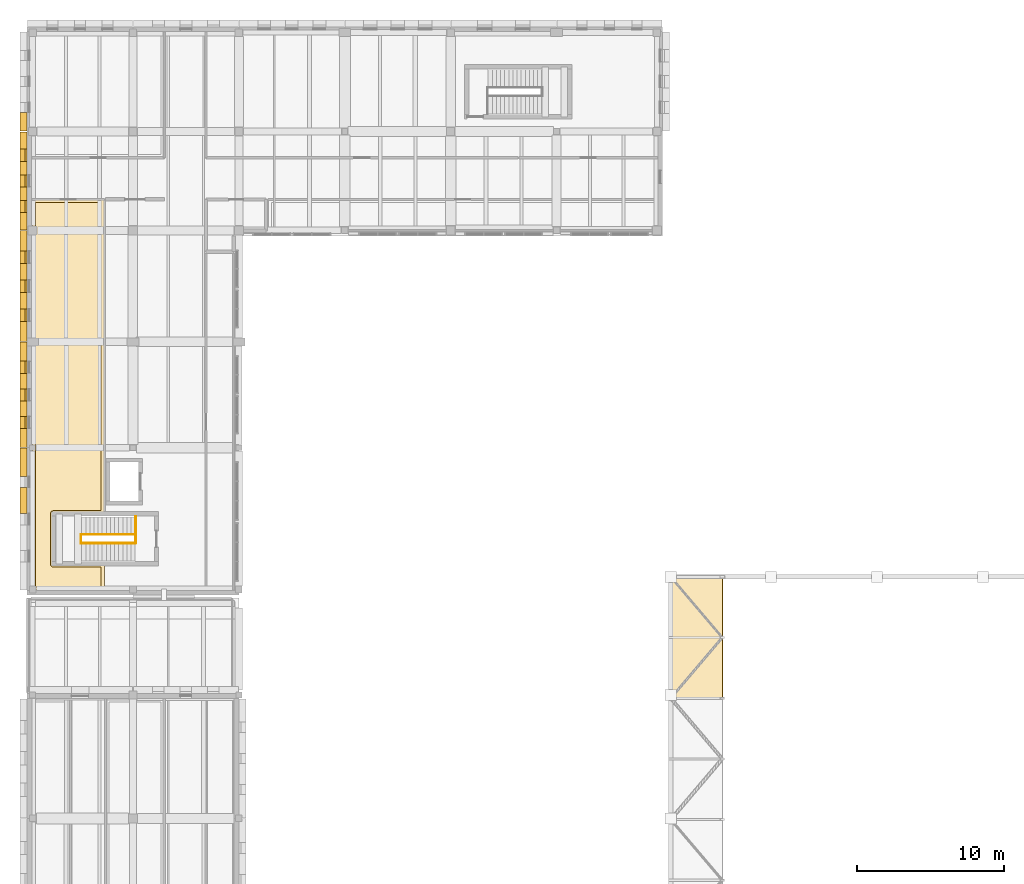
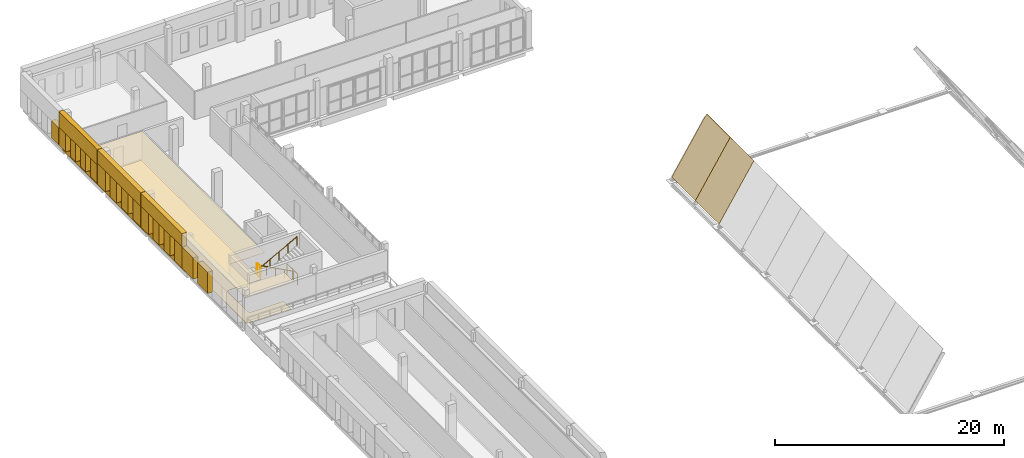
# One storey, part 52 of 56: 25 coverings, 4 railings.
"""IFC4 building model written with IfcOpenShell, lengths in metres."""

from ifc_helpers import new_model, si_unit, direction, frame, origin, origin_2d, place, context, subcontext, project, spatial, polyline, circle, outline, extrude, material, layer, layer_set, type_object, element, save


model = new_model("IFC4")

# Units and contexts
model_context = context("Model", 3, precision=1e-05, world=origin(), true_north=direction((0.0, 1.0)))
body_context = subcontext(model_context, "Body", "Model", "MODEL_VIEW")
ifc_project = project(units=[si_unit("LENGTHUNIT", "METRE"), si_unit("AREAUNIT", "SQUARE_METRE"), si_unit("VOLUMEUNIT", "CUBIC_METRE"), si_unit("PLANEANGLEUNIT", "RADIAN"), si_unit("MASSUNIT", "GRAM", prefix="KILO")], contexts=[model_context])

# Site, building, storey
site_placement = place(None, origin())
site = spatial("IfcSite", under=ifc_project, at=site_placement, CompositionType="ELEMENT")
building_placement = place(site_placement, origin())
building = spatial("IfcBuilding", under=site, at=building_placement, Name="Vardoun Plaza Health Centre", CompositionType="ELEMENT")
storey_placement = place(building_placement, frame((0.0, 0.0, 8.699951171875)))
storey = spatial("IfcBuildingStorey", under=building, at=storey_placement, Name="L02", CompositionType="ELEMENT", Elevation=8.699951171875)

# Coverings
ifc_material_1 = material(Name="Hygienic Acoustic Mineral-Fibre Ceiling", Category="concrete")
ifc_layer_1 = layer(ifc_material_1, 0.02490234375)
ifc_layer_set_1 = layer_set([ifc_layer_1], Name="Hygienic Acoustic Mineral-Fibre Ceiling")
covering_type_1 = type_object("IfcCoveringType", Name="CL-01", PredefinedType="CEILING", material=ifc_layer_set_1)
covering_1_placement = place(storey_placement, frame((0.0, 0.0, 2.89501953125)))
element("IfcCovering", 1, at=covering_1_placement, inside=storey, type_object=covering_type_1, Name="Women Health Consulting Room 22 Acoustic Ceiling", PredefinedType="CEILING", context=body_context, shape_type="SweptSolid", body=[
    extrude(outline(polyline([(4.860107421875, 103.570068359375), (9.75, 103.570068359375), (9.75, 82.2099609375), (6.300048828125, 82.2099609375), (6.299072265625, 82.2099609375), (6.298095703125, 82.209716796875), (6.297119140625, 82.209716796875), (6.296142578125, 82.209228515625), (6.29541015625, 82.208740234375), (6.29443359375, 82.208251953125), (6.293701171875, 82.207763671875), (6.29296875, 82.20703125), (6.292236328125, 82.206298828125), (6.291748046875, 82.20556640625), (6.291259765625, 82.20458984375), (6.290771484375, 82.203857421875), (6.290283203125, 82.202880859375), (6.290283203125, 82.201904296875), (6.2900390625, 82.200927734375), (6.2900390625, 82.199951171875), (6.2900390625, 78.800048828125), (6.2900390625, 78.799072265625), (6.290283203125, 78.798095703125), (6.290283203125, 78.797119140625), (6.290771484375, 78.796142578125), (6.291259765625, 78.79541015625), (6.291748046875, 78.79443359375), (6.292236328125, 78.793701171875), (6.29296875, 78.79296875), (6.293701171875, 78.792236328125), (6.29443359375, 78.791748046875), (6.29541015625, 78.791259765625), (6.296142578125, 78.790771484375), (6.297119140625, 78.790283203125), (6.298095703125, 78.790283203125), (6.299072265625, 78.7900390625), (6.300048828125, 78.7900390625), (9.75, 78.7900390625), (9.75, 77.0400390625), (4.860107421875, 77.0400390625), (4.860107421875, 103.570068359375)])), origin(), (0.0, 0.0, 1.0), 0.025146484375),
])
ifc_material_2 = material(Name="Pale Limestone Concrete C35/45", Category="masonry")
ifc_layer_2 = layer(ifc_material_2, 0.080078125)
ifc_layer_set_2 = layer_set([ifc_layer_2], Name="Pale Limestone Concrete C35/45")
covering_type_2 = type_object("IfcCoveringType", Name="CL-EXT1", PredefinedType="CLADDING", material=ifc_layer_set_2)
covering_2_placement = place(storey_placement, frame((0.0, 0.0, 0.550048828125)))
element("IfcCovering", 2, at=covering_2_placement, inside=storey, type_object=covering_type_2, Name="V3 L02 Deep-Punched Slot Concrete Reveal Pier 883", PredefinedType="CLADDING", context=body_context, shape_type="SweptSolid", body=[
    extrude(outline(polyline([(4.5, 82.237548828125), (4.5, 83.980712890625), (4.02001953125, 83.980712890625), (4.02001953125, 82.237548828125), (4.5, 82.237548828125)])), origin(), (0.0, 0.0, 1.0), 2.25),
])
covering_3_placement = place(storey_placement, frame((0.0, 0.0, 0.550048828125)))
element("IfcCovering", 3, at=covering_3_placement, inside=storey, type_object=covering_type_2, Name="V3 L02 Deep-Punched Slot Concrete Reveal Pier 884", PredefinedType="CLADDING", context=body_context, shape_type="SweptSolid", body=[
    extrude(outline(polyline([(4.5, 84.7607421875), (4.5, 86.679931640625), (4.02001953125, 86.679931640625), (4.02001953125, 84.7607421875), (4.5, 84.7607421875)])), origin(), (0.0, 0.0, 1.0), 2.25),
])
covering_4_placement = place(storey_placement, origin())
element("IfcCovering", 4, at=covering_4_placement, inside=storey, type_object=covering_type_2, Name="V3 L02 Pale Concrete Sill Band 885", PredefinedType="CLADDING", context=body_context, shape_type="SweptSolid", body=[
    extrude(outline(polyline([(4.5, 86.719970703125), (4.5, 93.8798828125), (4.360107421875, 93.8798828125), (4.360107421875, 86.719970703125), (4.5, 86.719970703125)])), origin(), (0.0, 0.0, 1.0), 0.550048828125),
])
covering_5_placement = place(storey_placement, frame((0.0, 0.0, 2.800048828125)))
element("IfcCovering", 5, at=covering_5_placement, inside=storey, type_object=covering_type_2, Name="V3 L02 Sculpted Concrete Eyebrow Hood 886", PredefinedType="CLADDING", context=body_context, shape_type="SweptSolid", body=[
    extrude(outline(polyline([(4.5, 86.719970703125), (4.5, 93.8798828125), (4.02001953125, 93.8798828125), (4.02001953125, 86.719970703125), (4.5, 86.719970703125)])), origin(), (0.0, 0.0, 1.0), 1.39990234375),
])
covering_6_placement = place(storey_placement, frame((0.0, 0.0, 0.550048828125)))
element("IfcCovering", 6, at=covering_6_placement, inside=storey, type_object=covering_type_2, Name="V3 L02 Deep-Punched Slot Concrete Reveal Pier 887", PredefinedType="CLADDING", context=body_context, shape_type="SweptSolid", body=[
    extrude(outline(polyline([(4.5, 86.719970703125), (4.5, 88.01806640625), (4.02001953125, 88.01806640625), (4.02001953125, 86.719970703125), (4.5, 86.719970703125)])), origin(), (0.0, 0.0, 1.0), 2.25),
])
covering_7_placement = place(storey_placement, frame((0.0, 0.0, 0.550048828125)))
element("IfcCovering", 7, at=covering_7_placement, inside=storey, type_object=covering_type_2, Name="V3 L02 Deep-Punched Slot Concrete Reveal Pier 888", PredefinedType="CLADDING", context=body_context, shape_type="SweptSolid", body=[
    extrude(outline(polyline([(4.5, 88.837890625), (4.5, 89.889892578125), (4.02001953125, 89.889892578125), (4.02001953125, 88.837890625), (4.5, 88.837890625)])), origin(), (0.0, 0.0, 1.0), 2.25),
])
covering_8_placement = place(storey_placement, frame((0.0, 0.0, 0.550048828125)))
element("IfcCovering", 8, at=covering_8_placement, inside=storey, type_object=covering_type_2, Name="V3 L02 Deep-Punched Slot Concrete Reveal Pier 889", PredefinedType="CLADDING", context=body_context, shape_type="SweptSolid", body=[
    extrude(outline(polyline([(4.5, 90.7099609375), (4.5, 91.761962890625), (4.02001953125, 91.761962890625), (4.02001953125, 90.7099609375), (4.5, 90.7099609375)])), origin(), (0.0, 0.0, 1.0), 2.25),
])
covering_9_placement = place(storey_placement, frame((0.0, 0.0, 0.550048828125)))
element("IfcCovering", 9, at=covering_9_placement, inside=storey, type_object=covering_type_2, Name="V3 L02 Deep-Punched Slot Concrete Reveal Pier 890", PredefinedType="CLADDING", context=body_context, shape_type="SweptSolid", body=[
    extrude(outline(polyline([(4.5, 92.58203125), (4.5, 93.8798828125), (4.02001953125, 93.8798828125), (4.02001953125, 92.58203125), (4.5, 92.58203125)])), origin(), (0.0, 0.0, 1.0), 2.25),
])
covering_10_placement = place(storey_placement, origin())
element("IfcCovering", 10, at=covering_10_placement, inside=storey, type_object=covering_type_2, Name="V3 L02 Pale Concrete Sill Band 891", PredefinedType="CLADDING", context=body_context, shape_type="SweptSolid", body=[
    extrude(outline(polyline([(4.5, 93.919921875), (4.5, 101.4599609375), (4.360107421875, 101.4599609375), (4.360107421875, 93.919921875), (4.5, 93.919921875)])), origin(), (0.0, 0.0, 1.0), 0.550048828125),
])
covering_11_placement = place(storey_placement, frame((0.0, 0.0, 2.75)))
element("IfcCovering", 11, at=covering_11_placement, inside=storey, type_object=covering_type_2, Name="V3 L02 Sculpted Concrete Eyebrow Hood 892", PredefinedType="CLADDING", context=body_context, shape_type="SweptSolid", body=[
    extrude(outline(polyline([(4.5, 93.919921875), (4.5, 101.4599609375), (4.02001953125, 101.4599609375), (4.02001953125, 93.919921875), (4.5, 93.919921875)])), origin(), (0.0, 0.0, 1.0), 1.449951171875),
])
covering_12_placement = place(storey_placement, frame((0.0, 0.0, 0.550048828125)))
element("IfcCovering", 12, at=covering_12_placement, inside=storey, type_object=covering_type_2, Name="V3 L02 Deep-Punched Slot Concrete Reveal Pier 893", PredefinedType="CLADDING", context=body_context, shape_type="SweptSolid", body=[
    extrude(outline(polyline([(4.5, 93.919921875), (4.5, 95.289306640625), (4.02001953125, 95.289306640625), (4.02001953125, 93.919921875), (4.5, 93.919921875)])), origin(), (0.0, 0.0, 1.0), 2.199951171875),
])
covering_13_placement = place(storey_placement, frame((0.0, 0.0, 0.550048828125)))
element("IfcCovering", 13, at=covering_13_placement, inside=storey, type_object=covering_type_2, Name="V3 L02 Deep-Punched Slot Concrete Reveal Pier 894", PredefinedType="CLADDING", context=body_context, shape_type="SweptSolid", body=[
    extrude(outline(polyline([(4.5, 96.149169921875), (4.5, 97.260009765625), (4.02001953125, 97.260009765625), (4.02001953125, 96.149169921875), (4.5, 96.149169921875)])), origin(), (0.0, 0.0, 1.0), 2.199951171875),
])
covering_14_placement = place(storey_placement, frame((0.0, 0.0, 0.550048828125)))
element("IfcCovering", 14, at=covering_14_placement, inside=storey, type_object=covering_type_2, Name="V3 L02 Deep-Punched Slot Concrete Reveal Pier 895", PredefinedType="CLADDING", context=body_context, shape_type="SweptSolid", body=[
    extrude(outline(polyline([(4.5, 98.1201171875), (4.5, 99.230712890625), (4.02001953125, 99.230712890625), (4.02001953125, 98.1201171875), (4.5, 98.1201171875)])), origin(), (0.0, 0.0, 1.0), 2.199951171875),
])
covering_15_placement = place(storey_placement, frame((0.0, 0.0, 0.550048828125)))
element("IfcCovering", 15, at=covering_15_placement, inside=storey, type_object=covering_type_2, Name="V3 L02 Deep-Punched Slot Concrete Reveal Pier 896", PredefinedType="CLADDING", context=body_context, shape_type="SweptSolid", body=[
    extrude(outline(polyline([(4.5, 100.0908203125), (4.5, 101.4599609375), (4.02001953125, 101.4599609375), (4.02001953125, 100.0908203125), (4.5, 100.0908203125)])), origin(), (0.0, 0.0, 1.0), 2.199951171875),
])
covering_16_placement = place(storey_placement, origin())
element("IfcCovering", 16, at=covering_16_placement, inside=storey, type_object=covering_type_2, Name="V3 L02 Pale Concrete Sill Band 897", PredefinedType="CLADDING", context=body_context, shape_type="SweptSolid", body=[
    extrude(outline(polyline([(4.5, 101.5), (4.5, 108.179931640625), (4.360107421875, 108.179931640625), (4.360107421875, 101.5), (4.5, 101.5)])), origin(), (0.0, 0.0, 1.0), 0.60009765625),
])
covering_17_placement = place(storey_placement, frame((0.0, 0.0, 2.550048828125)))
element("IfcCovering", 17, at=covering_17_placement, inside=storey, type_object=covering_type_2, Name="V3 L02 Sculpted Concrete Eyebrow Hood 898", PredefinedType="CLADDING", context=body_context, shape_type="SweptSolid", body=[
    extrude(outline(polyline([(4.5, 101.5), (4.5, 108.179931640625), (4.02001953125, 108.179931640625), (4.02001953125, 101.5), (4.5, 101.5)])), origin(), (0.0, 0.0, 1.0), 1.64990234375),
])
covering_18_placement = place(storey_placement, frame((0.0, 0.0, 0.60009765625)))
element("IfcCovering", 18, at=covering_18_placement, inside=storey, type_object=covering_type_2, Name="V3 L02 Deep-Punched Slot Concrete Reveal Pier 899", PredefinedType="CLADDING", context=body_context, shape_type="SweptSolid", body=[
    extrude(outline(polyline([(4.5, 101.5), (4.5, 102.682861328125), (4.02001953125, 102.682861328125), (4.02001953125, 101.5), (4.5, 101.5)])), origin(), (0.0, 0.0, 1.0), 1.949951171875),
])
covering_19_placement = place(storey_placement, frame((0.0, 0.0, 0.60009765625)))
element("IfcCovering", 19, at=covering_19_placement, inside=storey, type_object=covering_type_2, Name="V3 L02 Deep-Punched Slot Concrete Reveal Pier 900", PredefinedType="CLADDING", context=body_context, shape_type="SweptSolid", body=[
    extrude(outline(polyline([(4.5, 103.502685546875), (4.5, 104.429931640625), (4.02001953125, 104.429931640625), (4.02001953125, 103.502685546875), (4.5, 103.502685546875)])), origin(), (0.0, 0.0, 1.0), 1.949951171875),
])
covering_20_placement = place(storey_placement, frame((0.0, 0.0, 0.60009765625)))
element("IfcCovering", 20, at=covering_20_placement, inside=storey, type_object=covering_type_2, Name="V3 L02 Deep-Punched Slot Concrete Reveal Pier 901", PredefinedType="CLADDING", context=body_context, shape_type="SweptSolid", body=[
    extrude(outline(polyline([(4.5, 105.25), (4.5, 106.17724609375), (4.02001953125, 106.17724609375), (4.02001953125, 105.25), (4.5, 105.25)])), origin(), (0.0, 0.0, 1.0), 1.949951171875),
])
covering_21_placement = place(storey_placement, frame((0.0, 0.0, 0.60009765625)))
element("IfcCovering", 21, at=covering_21_placement, inside=storey, type_object=covering_type_2, Name="V3 L02 Deep-Punched Slot Concrete Reveal Pier 902", PredefinedType="CLADDING", context=body_context, shape_type="SweptSolid", body=[
    extrude(outline(polyline([(4.5, 106.997314453125), (4.5, 108.179931640625), (4.02001953125, 108.179931640625), (4.02001953125, 106.997314453125), (4.5, 106.997314453125)])), origin(), (0.0, 0.0, 1.0), 1.949951171875),
])
covering_22_placement = place(storey_placement, frame((0.0, 0.0, 0.60009765625)))
element("IfcCovering", 22, at=covering_22_placement, inside=storey, type_object=covering_type_2, Name="V3 L02 Deep-Punched Slot Concrete Reveal Pier 905", PredefinedType="CLADDING", context=body_context, shape_type="SweptSolid", body=[
    extrude(outline(polyline([(4.5, 108.219970703125), (4.5, 109.48828125), (4.02001953125, 109.48828125), (4.02001953125, 108.219970703125), (4.5, 108.219970703125)])), origin(), (0.0, 0.0, 1.0), 1.849853515625),
])
ifc_material_3 = material(Name="Seamless Conductive Clinical Vinyl Flooring", Category="concrete")
ifc_layer_3 = layer(ifc_material_3, 0.014892578125)
ifc_layer_set_3 = layer_set([ifc_layer_3], Name="Seamless Conductive Clinical Vinyl Flooring")
covering_type_3 = type_object("IfcCoveringType", Name="FL-01", PredefinedType="FLOORING", material=ifc_layer_set_3)
covering_23_placement = place(storey_placement, origin())
element("IfcCovering", 23, at=covering_23_placement, inside=storey, type_object=covering_type_3, Name="Women Health Consulting Room 22 Floor Finish", PredefinedType="FLOORING", context=body_context, shape_type="SweptSolid", body=[
    extrude(outline(polyline([(5.070068359375, 103.360107421875), (9.5400390625, 103.360107421875), (9.5400390625, 82.419921875), (6.300048828125, 82.419921875), (6.2783203125, 82.4189453125), (6.257080078125, 82.415771484375), (6.236083984375, 82.410400390625), (6.2158203125, 82.4033203125), (6.1962890625, 82.39404296875), (6.177734375, 82.3828125), (6.160400390625, 82.3701171875), (6.144287109375, 82.355712890625), (6.1298828125, 82.339599609375), (6.1171875, 82.322265625), (6.10595703125, 82.3037109375), (6.0966796875, 82.2841796875), (6.089599609375, 82.263916015625), (6.084228515625, 82.242919921875), (6.0810546875, 82.2216796875), (6.080078125, 82.199951171875), (6.080078125, 78.800048828125), (6.0810546875, 78.7783203125), (6.084228515625, 78.757080078125), (6.089599609375, 78.736083984375), (6.0966796875, 78.7158203125), (6.10595703125, 78.6962890625), (6.1171875, 78.677734375), (6.1298828125, 78.660400390625), (6.144287109375, 78.644287109375), (6.160400390625, 78.6298828125), (6.177734375, 78.6171875), (6.1962890625, 78.60595703125), (6.2158203125, 78.5966796875), (6.236083984375, 78.589599609375), (6.257080078125, 78.584228515625), (6.2783203125, 78.5810546875), (6.300048828125, 78.580078125), (9.5400390625, 78.580078125), (9.5400390625, 77.25), (5.070068359375, 77.25), (5.070068359375, 103.360107421875)])), origin(), (0.0, 0.0, 1.0), 0.01513671875),
])
ifc_material_4 = material(Name="EPDM Insulated Roof Membrane", Category="concrete")
ifc_layer_4 = layer(ifc_material_4, 0.044921875)
ifc_layer_set_4 = layer_set([ifc_layer_4], Name="EPDM Insulated Roof Membrane")
covering_type_4 = type_object("IfcCoveringType", Name="CV-M1", PredefinedType="ROOFING", material=ifc_layer_set_4)
covering_24_placement = place(storey_placement, frame((48.260009765625, 69.672119140625, 0.080078125), z_axis=(-0.843872257185, 0.0, 0.536544139428), x_axis=(0.536544139428, 0.0, 0.843872257185)))
element("IfcCovering", 24, at=covering_24_placement, inside=storey, type_object=covering_type_4, Name="Gridshell Vault Cladding 9.1", PredefinedType="ROOFING", context=body_context, shape_type="SweptSolid", body=[
    extrude(outline(polyline([(0.0, 0.0), (6.5323289454576585, 0.0), (6.5323289454576585, 4.123779296875), (0.0, 4.123779296875), (0.0, 0.0)])), origin(), (0.0, 0.0, -1.0), 0.044921875),
])
covering_25_placement = place(storey_placement, frame((48.260009765625, 73.7958984375, 0.080078125), z_axis=(-0.843872257185, 0.0, 0.536544139428), x_axis=(0.536544139428, 0.0, 0.843872257185)))
element("IfcCovering", 25, at=covering_25_placement, inside=storey, type_object=covering_type_4, Name="Gridshell Vault Cladding 10.1", PredefinedType="ROOFING", context=body_context, shape_type="SweptSolid", body=[
    extrude(outline(polyline([(0.0, 0.0), (6.5323289454576585, 0.0), (6.5323289454576585, 4.1240234375), (0.0, 4.1240234375), (0.0, 0.0)])), origin(), (0.0, 0.0, -1.0), 0.044921875),
])

# Railings
ifc_material_5 = material(Name="Painted Steel S275JR Stair-Well Guardrail", Category="steel")
railing_type_1 = type_object("IfcRailingType", Name="GR-04", PredefinedType="GUARDRAIL", material=ifc_material_5)
railing_1_placement = place(storey_placement, frame((11.889892578125, 80.205078125, 0.0)))
element("IfcRailing", 26, at=railing_1_placement, inside=storey, type_object=railing_type_1, Name="Stair ST-C3-L01 Upper Landing Well Guard", PredefinedType="GUARDRAIL", context=body_context, shape_type="SweptSolid", body=[
    extrude(circle(Radius=0.02392578125, at=origin_2d()), frame((0.0, 0.0, 1.09619140625), z_axis=(0.0, 1.0, 0.0), x_axis=(-1.0, 0.0, 0.0)), (0.0, 0.0, 1.0), 1.81494140625),
    extrude(circle(Radius=0.02099609375, at=origin_2d()), origin(), (0.0, 0.0, 1.0), 1.072021484375),
    extrude(circle(Radius=0.02099609375, at=origin_2d()), frame((0.0, 0.907470703125, 0.0)), (0.0, 0.0, 1.0), 1.072021484375),
    extrude(circle(Radius=0.02099609375, at=origin_2d()), frame((0.0, 1.81494140625, 0.0)), (0.0, 0.0, 1.0), 1.072021484375),
])
railing_2_placement = place(storey_placement, frame((8.169921875, 80.205078125, 2.10009765625)))
element("IfcRailing", 27, at=railing_2_placement, inside=storey, type_object=railing_type_1, Name="Stair ST-C3-L02 Mid-Landing Well Guard", PredefinedType="GUARDRAIL", context=body_context, shape_type="SweptSolid", body=[
    extrude(circle(Radius=0.02392578125, at=origin_2d()), frame((0.0, 0.0, 1.09619140625), z_axis=(0.0, 1.0, 0.0), x_axis=(-1.0, 0.0, 0.0)), (0.0, 0.0, 1.0), 0.58984375),
    extrude(circle(Radius=0.02099609375, at=origin_2d()), origin(), (0.0, 0.0, 1.0), 1.072021484375),
    extrude(circle(Radius=0.02099609375, at=origin_2d()), frame((0.0, 0.58984375, 0.0)), (0.0, 0.0, 1.0), 1.072021484375),
])
ifc_material_6 = material(Name="Brushed Stainless Steel Grade 316L", Category="steel")
railing_type_2 = type_object("IfcRailingType", Name="HR-01", PredefinedType="HANDRAIL", material=ifc_material_6)
railing_3_placement = place(storey_placement, frame((11.85009765625, 80.794921875, 0.150146484375)))
element("IfcRailing", 28, at=railing_3_placement, inside=storey, type_object=railing_type_2, Name="Stair ST-C3-L02 Flight 1 Handrail", PredefinedType="HANDRAIL", context=body_context, shape_type="SweptSolid", body=[
    extrude(circle(Radius=0.02392578125, at=origin_2d()), frame((0.0, 0.0, 0.89599609375), z_axis=(-0.881492274372, 0.0, 0.472198443689), x_axis=(0.0, -1.0, 0.0)), (0.0, 0.0, 1.0), 4.12939453125),
    extrude(circle(Radius=0.02099609375, at=origin_2d()), origin(), (0.0, 0.0, 1.0), 0.871826171875),
    extrude(circle(Radius=0.02099609375, at=origin_2d()), frame((-0.91015625, 0.0, 0.487548828125)), (0.0, 0.0, 1.0), 0.871826171875),
    extrude(circle(Radius=0.02099609375, at=origin_2d()), frame((-1.820068359375, 0.0, 0.97509765625)), (0.0, 0.0, 1.0), 0.871826171875),
    extrude(circle(Radius=0.02099609375, at=origin_2d()), frame((-2.72998046875, 0.0, 1.46240234375)), (0.0, 0.0, 1.0), 0.871826171875),
    extrude(circle(Radius=0.02099609375, at=origin_2d()), frame((-3.64013671875, 0.0, 1.949951171875)), (0.0, 0.0, 1.0), 0.871826171875),
])
railing_4_placement = place(storey_placement, frame((8.2099609375, 80.205078125, 2.25)))
element("IfcRailing", 29, at=railing_4_placement, inside=storey, type_object=railing_type_2, Name="Stair ST-C3-L02 Flight 2 Handrail", PredefinedType="HANDRAIL", context=body_context, shape_type="SweptSolid", body=[
    extrude(circle(Radius=0.02392578125, at=origin_2d()), frame((0.0, 0.0, 0.89599609375), z_axis=(0.881492274372, 0.0, 0.472198443689), x_axis=(0.0, 1.0, 0.0)), (0.0, 0.0, 1.0), 4.12939453125),
    extrude(circle(Radius=0.02099609375, at=origin_2d()), origin(), (0.0, 0.0, 1.0), 0.871826171875),
    extrude(circle(Radius=0.02099609375, at=origin_2d()), frame((0.91015625, 0.0, 0.487548828125)), (0.0, 0.0, 1.0), 0.871826171875),
    extrude(circle(Radius=0.02099609375, at=origin_2d()), frame((1.820068359375, 0.0, 0.97509765625)), (0.0, 0.0, 1.0), 0.871826171875),
    extrude(circle(Radius=0.02099609375, at=origin_2d()), frame((2.72998046875, 0.0, 1.46240234375)), (0.0, 0.0, 1.0), 0.871826171875),
    extrude(circle(Radius=0.02099609375, at=origin_2d()), frame((3.64013671875, 0.0, 1.949951171875)), (0.0, 0.0, 1.0), 0.871826171875),
])

save(model, "model.ifc")
